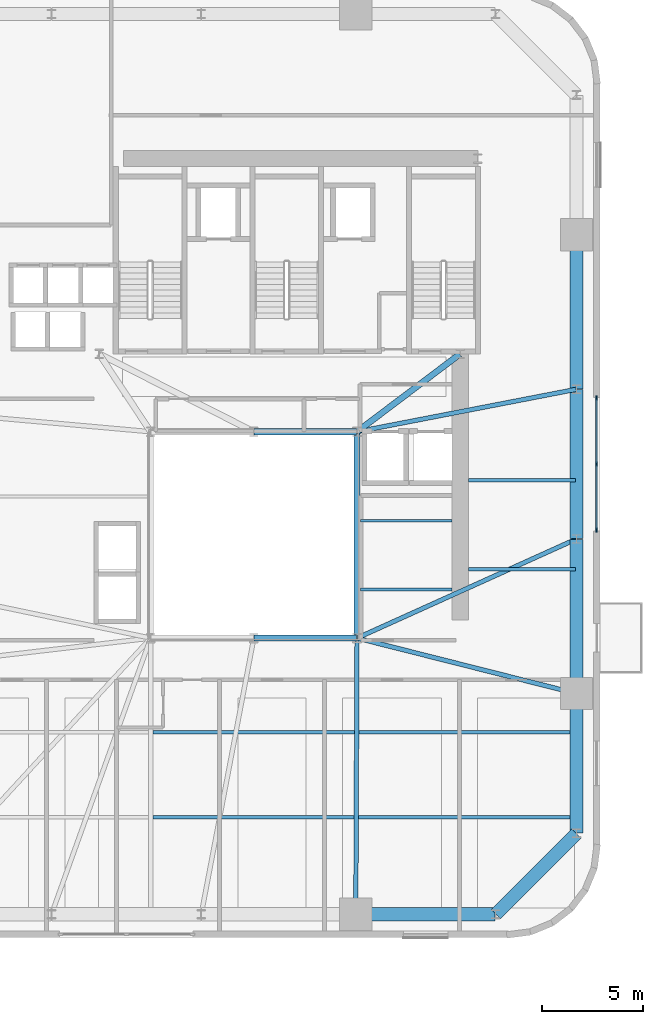
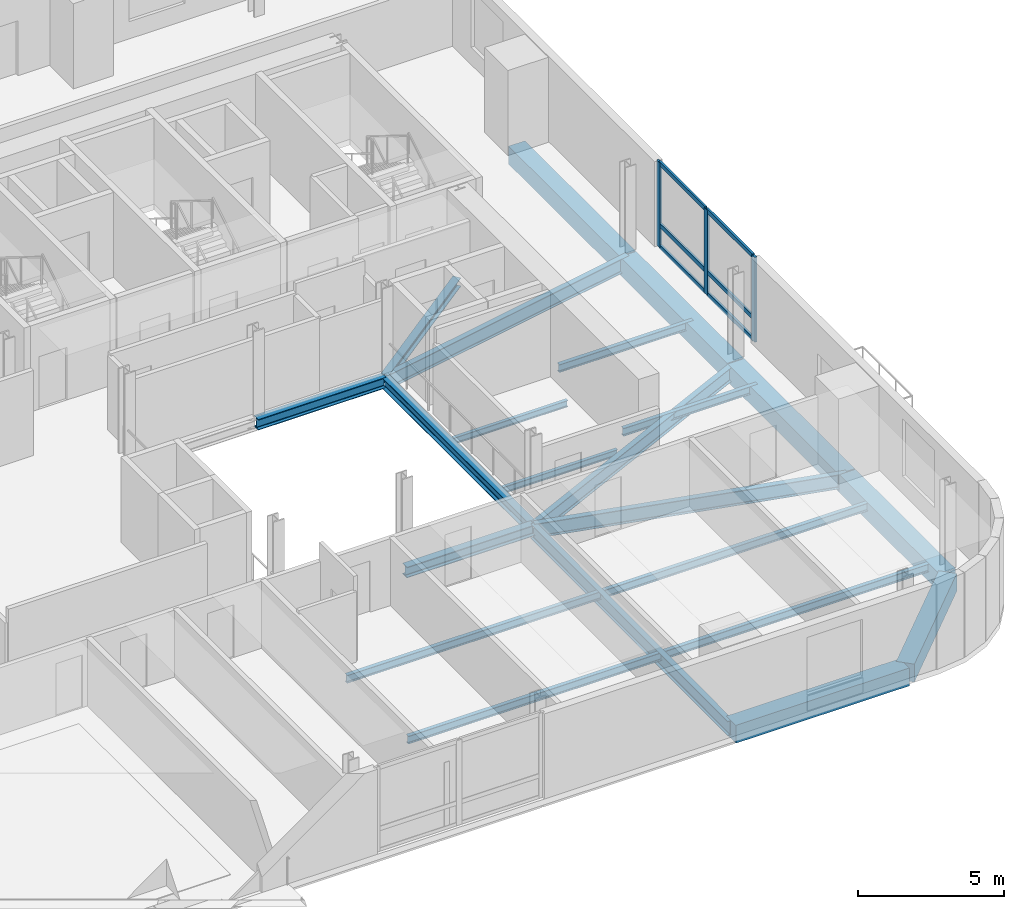
# One storey, part 3 of 14: 20 beams, 9 members, 1 element without a shape of its own.
"""IFC4 building model written with IfcOpenShell, lengths in metres."""

from ifc_helpers import new_model, si_unit, direction, frame, origin, origin_2d, place, context, subcontext, project, spatial, rectangle, i_section, extrude, source, transform, mapped, material, material_profile, profile_set, type_object, element, aggregate, save


model = new_model("IFC4")

# Units and contexts
model_context = context("Model", 3, precision=1e-05, world=origin(), true_north=direction((0.0, 1.0)))
body_context = subcontext(model_context, "Body", "Model", "MODEL_VIEW")
ifc_project = project(units=[si_unit("LENGTHUNIT", "METRE"), si_unit("AREAUNIT", "SQUARE_METRE"), si_unit("VOLUMEUNIT", "CUBIC_METRE"), si_unit("PLANEANGLEUNIT", "RADIAN"), si_unit("MASSUNIT", "GRAM", prefix="KILO")], contexts=[model_context])

# Site, building, storey
site_placement = place(None, origin())
site = spatial("IfcSite", under=ifc_project, at=site_placement, CompositionType="ELEMENT")
building_placement = place(site_placement, origin())
building = spatial("IfcBuilding", under=site, at=building_placement, Name="Vardaveli Station Tower", CompositionType="ELEMENT")
storey_placement = place(building_placement, frame((0.0, 0.0, 107.5)))
storey = spatial("IfcBuildingStorey", under=building, at=storey_placement, Name="L27", CompositionType="ELEMENT", Elevation=107.5)

# Beams
ifc_material_1 = material(Name="Structural steel S355J2", Category="steel")
ifc_material_profile_1 = material_profile(ifc_material_1, i_section(OverallWidth=0.300048828125, OverallDepth=0.449951171875, WebThickness=0.013916015625, FlangeThickness=0.02587890625, FilletRadius=0.027099609375, at=origin_2d()), Name="HEB 450")
ifc_profile_set_1 = profile_set([ifc_material_profile_1], Name="Structural steel S355J2")
beam_type_1 = type_object("IfcBeamType", Name="BM-HEB450", PredefinedType="BEAM", material=ifc_profile_set_1)
shared_shape_1 = source(origin(), body_context, "Body", "SweptSolid", [
    extrude(i_section(OverallWidth=0.300048828125, OverallDepth=0.449951171875, WebThickness=0.013916015625, FlangeThickness=0.02587890625, FilletRadius=0.027099609375, at=origin_2d()), origin(), (0.0, 0.0, 1.0), 5.059814453125),
])
for number, where, z_axis, x_axis, name in (
    (1, (36.320068359375, 16.60009765625, -0.465087890625), (1.0, 0.0, 0.0), (0.0, 1.0, 0.0), "ABM-L27-02"),
    (2, (41.3798828125, 26.800048828125, -0.465087890625), (-1.0, 0.0, 0.0), (0.0, -1.0, 0.0), "ABM-L27-04"),
):
    element("IfcBeam", number, at=place(storey_placement, frame(where, z_axis=z_axis, x_axis=x_axis)), inside=storey, type_object=beam_type_1, Name=name, PredefinedType="BEAM", context=body_context, shape_type="MappedRepresentation", body=[
        mapped(shared_shape_1, transform((0.0, 0.0, 0.0), scale=1.0)),
    ])
shared_shape_2 = source(origin(), body_context, "Body", "SweptSolid", [
    extrude(i_section(OverallWidth=0.300048828125, OverallDepth=0.449951171875, WebThickness=0.013916015625, FlangeThickness=0.02587890625, FilletRadius=0.027099609375, at=origin_2d()), origin(), (0.0, 0.0, 1.0), 10.159912109375),
])
beam_1_placement = place(storey_placement, frame((41.39990234375, 16.6201171875, -0.465087890625), z_axis=(0.0, 1.0, 0.0), x_axis=(-1.0, 0.0, 0.0)))
element("IfcBeam", 3, at=beam_1_placement, inside=storey, type_object=beam_type_1, Name="ABM-L27-03", PredefinedType="BEAM", context=body_context, shape_type="MappedRepresentation", body=[
    mapped(shared_shape_2, transform((0.0, 0.0, 0.0), scale=1.0)),
])
ifc_material_profile_2 = material_profile(ifc_material_1, i_section(OverallWidth=0.300048828125, OverallDepth=0.360107421875, WebThickness=0.012451171875, FlangeThickness=0.0224609375, FilletRadius=0.027099609375, at=origin_2d()), Name="HEB 360")
ifc_profile_set_2 = profile_set([ifc_material_profile_2], Name="Structural steel S355J2")
beam_type_2 = type_object("IfcBeamType", Name="BM-HEB360", PredefinedType="BEAM", material=ifc_profile_set_2)
shared_shape_3 = source(origin(), body_context, "Body", "SweptSolid", [
    extrude(i_section(OverallWidth=0.300048828125, OverallDepth=0.360107421875, WebThickness=0.012451171875, FlangeThickness=0.0224609375, FilletRadius=0.027099609375, at=origin_2d()), origin(), (0.0, 0.0, 1.0), 6.35009765625),
])
beam_2_placement = place(storey_placement, frame((41.416015625, 26.81201171875, -0.419921875), z_axis=(0.798118337722, 0.602500721154, 0.0), x_axis=(-0.602500721154, 0.798118337722, 0.0)))
element("IfcBeam", 4, at=beam_2_placement, inside=storey, type_object=beam_type_2, Name="CBM-L27-02", PredefinedType="BEAM", context=body_context, shape_type="MappedRepresentation", body=[
    mapped(shared_shape_3, transform((0.0, 0.0, 0.0), scale=1.0)),
])
ifc_material_2 = material(Name="Precast concrete C45/55", Category="concrete")
ifc_material_profile_3 = material_profile(ifc_material_2, rectangle(XDim=0.64990234375, YDim=0.75, at=origin_2d()), Name="LPB 650x750")
ifc_profile_set_3 = profile_set([ifc_material_profile_3], Name="Precast concrete C45/55")
beam_type_3 = type_object("IfcBeamType", Name="BM-LPB-750", PredefinedType="BEAM", material=ifc_profile_set_3)
shared_shape_4 = source(origin(), body_context, "Body", "SweptSolid", [
    extrude(rectangle(XDim=0.64990234375, YDim=0.75, at=origin_2d()), origin(), (0.0, 0.0, 1.0), 7.60009765625),
])
for number, where, z_axis, x_axis, name in (
    (5, (52.25, 13.8798828125, -0.614990234375), (0.0, 1.0, 0.0), (-1.0, 0.0, 0.0), "RBM-L27-07"),
    (6, (52.25, 28.919921875, -0.614990234375), (0.0, 1.0, 0.0), (-1.0, 0.0, 0.0), "RBM-L27-09"),
):
    element("IfcBeam", number, at=place(storey_placement, frame(where, z_axis=z_axis, x_axis=x_axis)), inside=storey, type_object=beam_type_3, Name=name, PredefinedType="BEAM", context=body_context, shape_type="MappedRepresentation", body=[
        mapped(shared_shape_4, transform((0.0, 0.0, 0.0), scale=1.0)),
    ])
shared_shape_5 = source(origin(), body_context, "Body", "SweptSolid", [
    extrude(rectangle(XDim=0.64990234375, YDim=0.75, at=origin_2d()), origin(), (0.0, 0.0, 1.0), 7.35986328125),
])
beam_3_placement = place(storey_placement, frame((52.25, 21.52001953125, -0.614990234375), z_axis=(0.0, 1.0, 0.0), x_axis=(-1.0, 0.0, 0.0)))
element("IfcBeam", 7, at=beam_3_placement, inside=storey, type_object=beam_type_3, Name="RBM-L27-08", PredefinedType="BEAM", context=body_context, shape_type="MappedRepresentation", body=[
    mapped(shared_shape_5, transform((0.0, 0.0, 0.0), scale=1.0)),
])
shared_shape_6 = source(origin(), body_context, "Body", "SweptSolid", [
    extrude(rectangle(XDim=0.64990234375, YDim=0.75, at=origin_2d()), origin(), (0.0, 0.0, 1.0), 6.869873046875),
])
beam_4_placement = place(storey_placement, frame((41.360107421875, 2.949951171875, -0.614990234375), z_axis=(1.0, 0.0, 0.0), x_axis=(0.0, 1.0, 0.0)))
element("IfcBeam", 8, at=beam_4_placement, inside=storey, type_object=beam_type_3, Name="RBM-L27-04", PredefinedType="BEAM", context=body_context, shape_type="MappedRepresentation", body=[
    mapped(shared_shape_6, transform((0.0, 0.0, 0.0), scale=1.0)),
])
shared_shape_7 = source(origin(), body_context, "Body", "SweptSolid", [
    extrude(rectangle(XDim=0.64990234375, YDim=0.75, at=origin_2d()), origin(), (0.0, 0.0, 1.0), 5.61669921875),
])
beam_5_placement = place(storey_placement, frame((48.26416015625, 2.964111328125, -0.614990234375), z_axis=(0.707106781187, 0.707106781187, 0.0), x_axis=(-0.707106781187, 0.707106781187, 0.0)))
element("IfcBeam", 9, at=beam_5_placement, inside=storey, type_object=beam_type_3, Name="RBM-L27-05", PredefinedType="BEAM", context=body_context, shape_type="MappedRepresentation", body=[
    mapped(shared_shape_7, transform((0.0, 0.0, 0.0), scale=1.0)),
])
shared_shape_8 = source(origin(), body_context, "Body", "SweptSolid", [
    extrude(rectangle(XDim=0.64990234375, YDim=0.75, at=origin_2d()), origin(), (0.0, 0.0, 1.0), 6.8701171875),
])
beam_6_placement = place(storey_placement, frame((52.25, 6.969970703125, -0.614990234375), z_axis=(0.0, 1.0, 0.0), x_axis=(-1.0, 0.0, 0.0)))
element("IfcBeam", 10, at=beam_6_placement, inside=storey, type_object=beam_type_3, Name="RBM-L27-06", PredefinedType="BEAM", context=body_context, shape_type="MappedRepresentation", body=[
    mapped(shared_shape_8, transform((0.0, 0.0, 0.0), scale=1.0)),
])
ifc_material_profile_4 = material_profile(ifc_material_1, i_section(OverallWidth=0.159912109375, OverallDepth=0.330078125, WebThickness=0.007568359375, FlangeThickness=0.011474609375, FilletRadius=0.01806640625, at=origin_2d()), Name="IPE 330")
ifc_profile_set_4 = profile_set([ifc_material_profile_4], Name="Structural steel S355J2")
beam_type_4 = type_object("IfcBeamType", Name="BM-IPE330", PredefinedType="JOIST", material=ifc_profile_set_4)
shared_shape_9 = source(origin(), body_context, "Body", "SweptSolid", [
    extrude(i_section(OverallWidth=0.159912109375, OverallDepth=0.330078125, WebThickness=0.007568359375, FlangeThickness=0.011474609375, FilletRadius=0.01806640625, at=origin_2d()), origin(), (0.0, 0.0, 1.0), 20.89794921875),
])
for number, where, z_axis, x_axis, name in (
    (11, (31.31201171875, 7.75, -0.405029296875), (1.0, 0.0, 0.0), (0.0, 1.0, 0.0), "SJ-L27-S02"),
    (12, (31.31201171875, 11.949951171875, -0.405029296875), (1.0, 0.0, 0.0), (0.0, 1.0, 0.0), "SJ-L27-S04"),
):
    element("IfcBeam", number, at=place(storey_placement, frame(where, z_axis=z_axis, x_axis=x_axis)), inside=storey, type_object=beam_type_4, Name=name, PredefinedType="JOIST", context=body_context, shape_type="MappedRepresentation", body=[
        mapped(shared_shape_9, transform((0.0, 0.0, 0.0), scale=1.0)),
    ])
shared_shape_10 = source(origin(), body_context, "Body", "SweptSolid", [
    extrude(i_section(OverallWidth=0.159912109375, OverallDepth=0.330078125, WebThickness=0.007568359375, FlangeThickness=0.011474609375, FilletRadius=0.01806640625, at=origin_2d()), origin(), (0.0, 0.0, 1.0), 5.304931640625),
])
for number, where, z_axis, x_axis, name in (
    (13, (46.905029296875, 20.0, -0.405029296875), (1.0, 0.0, 0.0), (0.0, 1.0, 0.0), "SJ-L27-E07"),
    (14, (46.905029296875, 24.39990234375, -0.405029296875), (1.0, 0.0, 0.0), (0.0, 1.0, 0.0), "SJ-L27-E08"),
):
    element("IfcBeam", number, at=place(storey_placement, frame(where, z_axis=z_axis, x_axis=x_axis)), inside=storey, type_object=beam_type_4, Name=name, PredefinedType="JOIST", context=body_context, shape_type="MappedRepresentation", body=[
        mapped(shared_shape_10, transform((0.0, 0.0, 0.0), scale=1.0)),
    ])
ifc_material_profile_5 = material_profile(ifc_material_1, i_section(OverallWidth=0.135009765625, OverallDepth=0.27001953125, WebThickness=0.006591796875, FlangeThickness=0.01025390625, FilletRadius=0.014892578125, at=origin_2d()), Name="IPE 270")
ifc_profile_set_5 = profile_set([ifc_material_profile_5], Name="Structural steel S355J2")
beam_type_5 = type_object("IfcBeamType", Name="BM-IPE270", PredefinedType="BEAM", material=ifc_profile_set_5)
shared_shape_11 = source(origin(), body_context, "Body", "SweptSolid", [
    extrude(i_section(OverallWidth=0.135009765625, OverallDepth=0.27001953125, WebThickness=0.006591796875, FlangeThickness=0.01025390625, FilletRadius=0.014892578125, at=origin_2d()), origin(), (0.0, 0.0, 1.0), 4.530029296875),
])
for number, where, z_axis, x_axis, name in (
    (15, (41.56494140625, 19.0, -0.375), (1.0, 0.0, 0.0), (0.0, 1.0, 0.0), "TJ-L27-01"),
    (16, (41.56494140625, 22.39990234375, -0.375), (1.0, 0.0, 0.0), (0.0, 1.0, 0.0), "TJ-L27-02"),
):
    element("IfcBeam", number, at=place(storey_placement, frame(where, z_axis=z_axis, x_axis=x_axis)), inside=storey, type_object=beam_type_5, Name=name, PredefinedType="BEAM", context=body_context, shape_type="MappedRepresentation", body=[
        mapped(shared_shape_11, transform((0.0, 0.0, 0.0), scale=1.0)),
    ])
ifc_material_profile_6 = material_profile(ifc_material_1, i_section(OverallWidth=0.219970703125, OverallDepth=0.60009765625, WebThickness=0.011962890625, FlangeThickness=0.01904296875, FilletRadius=0.02392578125, at=origin_2d()), Name="IPE 600")
ifc_profile_set_6 = profile_set([ifc_material_profile_6], Name="Structural steel S355J2")
beam_type_6 = type_object("IfcBeamType", Name="BM-IPE600", PredefinedType="BEAM", material=ifc_profile_set_6)
shared_shape_12 = source(origin(), body_context, "Body", "SweptSolid", [
    extrude(i_section(OverallWidth=0.219970703125, OverallDepth=0.60009765625, WebThickness=0.011962890625, FlangeThickness=0.01904296875, FilletRadius=0.02392578125, at=origin_2d()), origin(), (0.0, 0.0, 1.0), 13.6103515625),
])
beam_7_placement = place(storey_placement, frame((41.340087890625, 2.969970703125, -0.5400390625), z_axis=(0.004394812886, 0.999990342763, 0.0), x_axis=(-0.999990342763, 0.004394812886, 0.0)))
element("IfcBeam", 17, at=beam_7_placement, inside=storey, type_object=beam_type_6, Name="GBM-L27-04", PredefinedType="BEAM", context=body_context, shape_type="MappedRepresentation", body=[
    mapped(shared_shape_12, transform((0.0, 0.0, 0.0), scale=1.0)),
])
shared_shape_13 = source(origin(), body_context, "Body", "SweptSolid", [
    extrude(i_section(OverallWidth=0.219970703125, OverallDepth=0.60009765625, WebThickness=0.011962890625, FlangeThickness=0.01904296875, FilletRadius=0.02392578125, at=origin_2d()), origin(), (0.0, 0.0, 1.0), 11.150634765625),
])
beam_8_placement = place(storey_placement, frame((52.230712890625, 13.864990234375, -0.5400390625), z_axis=(-0.969561465826, 0.244848042642, 0.0), x_axis=(-0.244848042642, -0.969561465826, 0.0)))
element("IfcBeam", 18, at=beam_8_placement, inside=storey, type_object=beam_type_6, Name="GBM-L27-05", PredefinedType="BEAM", context=body_context, shape_type="MappedRepresentation", body=[
    mapped(shared_shape_13, transform((0.0, 0.0, 0.0), scale=1.0)),
])
shared_shape_14 = source(origin(), body_context, "Body", "SweptSolid", [
    extrude(i_section(OverallWidth=0.219970703125, OverallDepth=0.60009765625, WebThickness=0.011962890625, FlangeThickness=0.01904296875, FilletRadius=0.02392578125, at=origin_2d()), origin(), (0.0, 0.0, 1.0), 11.864990234375),
])
beam_9_placement = place(storey_placement, frame((52.231689453125, 21.49169921875, -0.5400390625), z_axis=(-0.911369354756, -0.411589478985, 0.0), x_axis=(0.411589478985, -0.911369354756, 0.0)))
element("IfcBeam", 19, at=beam_9_placement, inside=storey, type_object=beam_type_6, Name="GBM-L27-06", PredefinedType="BEAM", context=body_context, shape_type="MappedRepresentation", body=[
    mapped(shared_shape_14, transform((0.0, 0.0, 0.0), scale=1.0)),
])
shared_shape_15 = source(origin(), body_context, "Body", "SweptSolid", [
    extrude(i_section(OverallWidth=0.219970703125, OverallDepth=0.60009765625, WebThickness=0.011962890625, FlangeThickness=0.01904296875, FilletRadius=0.02392578125, at=origin_2d()), origin(), (0.0, 0.0, 1.0), 11.011474609375),
])
beam_10_placement = place(storey_placement, frame((52.23046875, 28.896240234375, -0.5400390625), z_axis=(-0.981777849093, -0.190032247343, 0.0), x_axis=(0.190032247343, -0.981777849093, 0.0)))
element("IfcBeam", 20, at=beam_10_placement, inside=storey, type_object=beam_type_6, Name="GBM-L27-07", PredefinedType="BEAM", context=body_context, shape_type="MappedRepresentation", body=[
    mapped(shared_shape_15, transform((0.0, 0.0, 0.0), scale=1.0)),
])

# Curtain wall, members
ifc_material_3 = material(Name="Travertine stone and solar-control glass", Category="masonry")
curtain_wall_type = type_object("IfcCurtainWallType", Name="CW-SYS-2", PredefinedType="NOTDEFINED", material=ifc_material_3)
curtain_wall_placement = place(storey_placement, origin())
curtain_wall = element("IfcCurtainWall", 21, at=curtain_wall_placement, inside=storey, type_object=curtain_wall_type, Name="CW-L27-E", PredefinedType="NOTDEFINED")
ifc_material_4 = material(Name="Anodised aluminium alloy 6063-T6", Category="aluminium")
ifc_material_profile_7 = material_profile(ifc_material_4, rectangle(XDim=0.0849609375, YDim=0.179931640625, at=origin_2d()), Name="CWT 85x180")
ifc_profile_set_7 = profile_set([ifc_material_profile_7], Name="Anodised aluminium alloy 6063-T6")
member_type_1 = type_object("IfcMemberType", Name="CW-SYS-2-TRAN", PredefinedType="NOTDEFINED", material=ifc_profile_set_7)
shared_shape_16 = source(origin(), body_context, "Body", "SweptSolid", [
    extrude(rectangle(XDim=0.0849609375, YDim=0.179931640625, at=origin_2d()), origin(), (0.0, 0.0, 1.0), 3.172607421875),
])
member_1_placement = place(storey_placement, frame((53.239990234375, 25.242431640625, 0.04248046875), z_axis=(0.0, 1.0, 0.0), x_axis=(-1.0, 0.0, 0.0)))
member_1 = element("IfcMember", 22, at=member_1_placement, type_object=member_type_1, Name="CW-2 transom 2.1", ObjectType="TRANSOM", PredefinedType="USERDEFINED", context=body_context, shape_type="MappedRepresentation", body=[
    mapped(shared_shape_16, transform((0.0, 0.0, 0.0), scale=1.0)),
])
member_2_placement = place(storey_placement, frame((53.239990234375, 25.242431640625, 0.949951171875), z_axis=(0.0, 1.0, 0.0), x_axis=(-1.0, 0.0, 0.0)))
member_2 = element("IfcMember", 23, at=member_2_placement, type_object=member_type_1, Name="CW-2 transom 2.2", ObjectType="TRANSOM", PredefinedType="USERDEFINED", context=body_context, shape_type="MappedRepresentation", body=[
    mapped(shared_shape_16, transform((0.0, 0.0, 0.0), scale=1.0)),
])
member_3_placement = place(storey_placement, frame((53.239990234375, 25.242431640625, 3.517578125), z_axis=(0.0, 1.0, 0.0), x_axis=(-1.0, 0.0, 0.0)))
member_3 = element("IfcMember", 24, at=member_3_placement, type_object=member_type_1, Name="CW-2 transom 2.3", ObjectType="TRANSOM", PredefinedType="USERDEFINED", context=body_context, shape_type="MappedRepresentation", body=[
    mapped(shared_shape_16, transform((0.0, 0.0, 0.0), scale=1.0)),
])
shared_shape_17 = source(origin(), body_context, "Body", "SweptSolid", [
    extrude(rectangle(XDim=0.0849609375, YDim=0.179931640625, at=origin_2d()), origin(), (0.0, 0.0, 1.0), 3.17236328125),
])
member_4_placement = place(storey_placement, frame((53.239990234375, 21.985107421875, 0.04248046875), z_axis=(0.0, 1.0, 0.0), x_axis=(-1.0, 0.0, 0.0)))
member_4 = element("IfcMember", 25, at=member_4_placement, type_object=member_type_1, Name="CW-2 transom 1.1", ObjectType="TRANSOM", PredefinedType="USERDEFINED", context=body_context, shape_type="MappedRepresentation", body=[
    mapped(shared_shape_17, transform((0.0, 0.0, 0.0), scale=1.0)),
])
member_5_placement = place(storey_placement, frame((53.239990234375, 21.985107421875, 0.949951171875), z_axis=(0.0, 1.0, 0.0), x_axis=(-1.0, 0.0, 0.0)))
member_5 = element("IfcMember", 26, at=member_5_placement, type_object=member_type_1, Name="CW-2 transom 1.2", ObjectType="TRANSOM", PredefinedType="USERDEFINED", context=body_context, shape_type="MappedRepresentation", body=[
    mapped(shared_shape_17, transform((0.0, 0.0, 0.0), scale=1.0)),
])
member_6_placement = place(storey_placement, frame((53.239990234375, 21.985107421875, 3.517578125), z_axis=(0.0, 1.0, 0.0), x_axis=(-1.0, 0.0, 0.0)))
member_6 = element("IfcMember", 27, at=member_6_placement, type_object=member_type_1, Name="CW-2 transom 1.3", ObjectType="TRANSOM", PredefinedType="USERDEFINED", context=body_context, shape_type="MappedRepresentation", body=[
    mapped(shared_shape_17, transform((0.0, 0.0, 0.0), scale=1.0)),
])
ifc_material_profile_8 = material_profile(ifc_material_4, rectangle(XDim=0.0849609375, YDim=0.219970703125, at=origin_2d()), Name="CWM 85x220")
ifc_profile_set_8 = profile_set([ifc_material_profile_8], Name="Anodised aluminium alloy 6063-T6")
member_type_2 = type_object("IfcMemberType", Name="CW-SYS-2-MULL", PredefinedType="MULLION", material=ifc_profile_set_8)
shared_shape_18 = source(origin(), body_context, "Body", "SweptSolid", [
    extrude(rectangle(XDim=0.0849609375, YDim=0.219970703125, at=origin_2d()), origin(), (0.0, 0.0, 1.0), 3.56005859375),
])
member_7_placement = place(storey_placement, frame((53.239990234375, 21.9423828125, 0.0), z_axis=(0.0, 0.0, 1.0), x_axis=(-1.0, 0.0, 0.0)))
member_7 = element("IfcMember", 28, at=member_7_placement, type_object=member_type_2, Name="CW-2 mullion 1", PredefinedType="MULLION", context=body_context, shape_type="MappedRepresentation", body=[
    mapped(shared_shape_18, transform((0.0, 0.0, 0.0), scale=1.0)),
])
member_8_placement = place(storey_placement, frame((53.239990234375, 25.199951171875, 0.0), z_axis=(0.0, 0.0, 1.0), x_axis=(-1.0, 0.0, 0.0)))
member_8 = element("IfcMember", 29, at=member_8_placement, type_object=member_type_2, Name="CW-2 mullion 2", PredefinedType="MULLION", context=body_context, shape_type="MappedRepresentation", body=[
    mapped(shared_shape_18, transform((0.0, 0.0, 0.0), scale=1.0)),
])
member_9_placement = place(storey_placement, frame((53.239990234375, 28.45751953125, 0.0), z_axis=(0.0, 0.0, 1.0), x_axis=(-1.0, 0.0, 0.0)))
member_9 = element("IfcMember", 30, at=member_9_placement, type_object=member_type_2, Name="CW-2 mullion 3", PredefinedType="MULLION", context=body_context, shape_type="MappedRepresentation", body=[
    mapped(shared_shape_18, transform((0.0, 0.0, 0.0), scale=1.0)),
])
aggregate(curtain_wall, [member_7, member_8, member_9, member_4, member_5, member_6, member_1, member_2, member_3])

save(model, "model.ifc")
